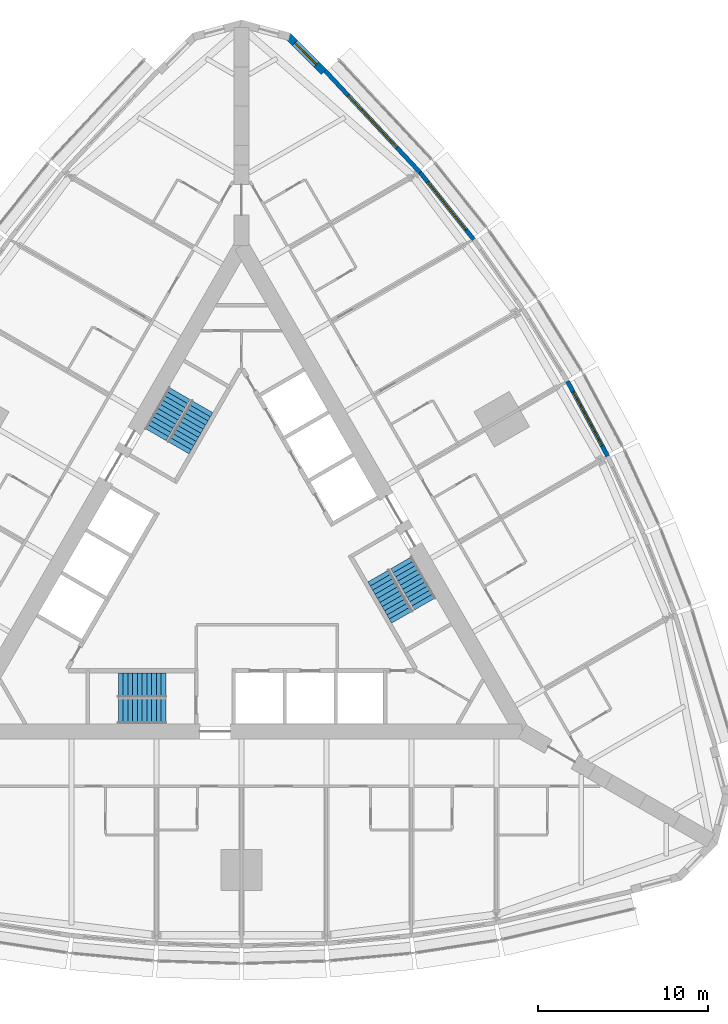
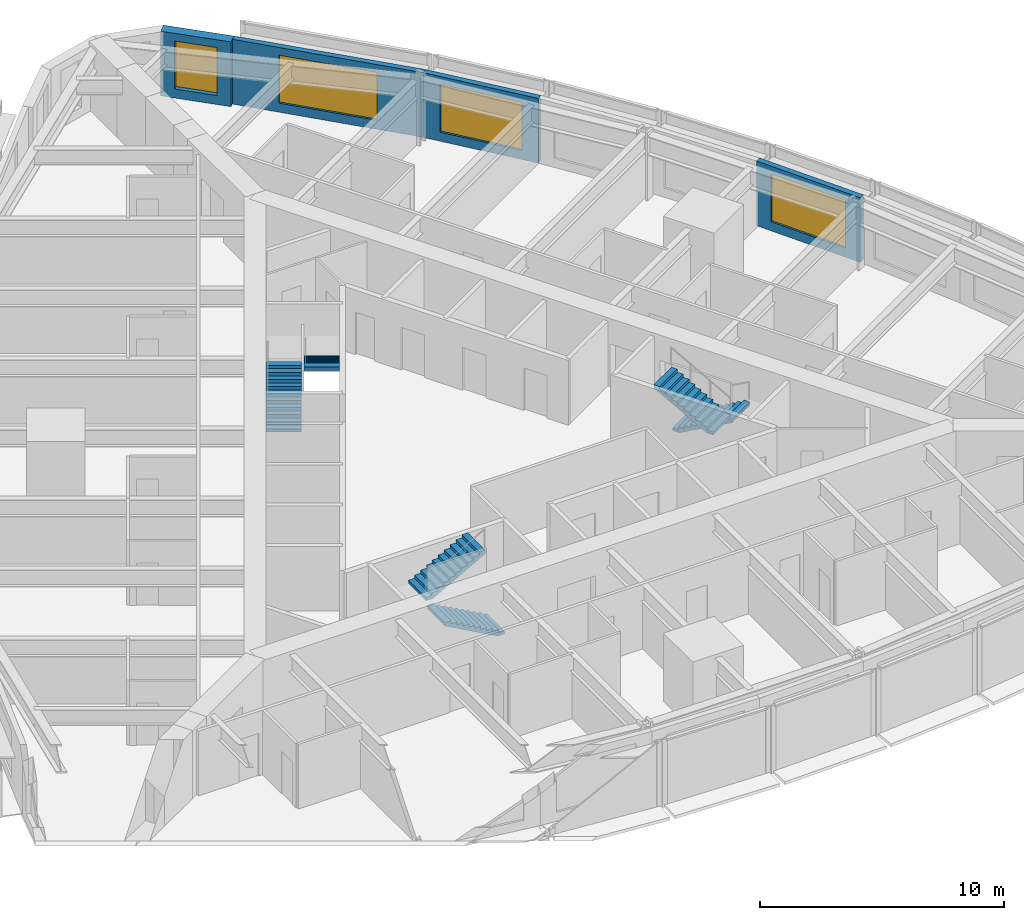
# One storey, part 13 of 14: 6 stair flights, 4 walls, 4 windows, 4 openings, 3 elements without a shape of their own.
"""IFC4 building model written with IfcOpenShell, lengths in metres."""

from ifc_helpers import new_model, si_unit, direction, frame, frame_2d, origin, place, context, subcontext, project, spatial, polyline, rectangle, outline, extrude, material, layer, layer_set, type_object, element, fill, aggregate, save


model = new_model("IFC4")

# Units and contexts
model_context = context("Model", 3, precision=1e-05, world=origin(), true_north=direction((0.0, 1.0)))
body_context = subcontext(model_context, "Body", "Model", "MODEL_VIEW")
ifc_project = project(units=[si_unit("LENGTHUNIT", "METRE"), si_unit("AREAUNIT", "SQUARE_METRE"), si_unit("VOLUMEUNIT", "CUBIC_METRE"), si_unit("PLANEANGLEUNIT", "RADIAN"), si_unit("MASSUNIT", "GRAM", prefix="KILO")], contexts=[model_context])

# Site, building, storey
site_placement = place(None, origin())
site = spatial("IfcSite", under=ifc_project, at=site_placement, CompositionType="ELEMENT")
building_placement = place(site_placement, origin())
building = spatial("IfcBuilding", under=site, at=building_placement, Name="Trikona Tower", CompositionType="ELEMENT")
storey_placement = place(building_placement, frame((0.0, 0.0, 89.699951171875)))
storey = spatial("IfcBuildingStorey", under=building, at=storey_placement, Name="L23", CompositionType="ELEMENT", Elevation=89.699951171875)

# Wall, opening, window
ifc_material_1 = material(Name="Brick-faced precast concrete", Category="masonry")
ifc_layer_1 = layer(ifc_material_1, 0.449951171875)
ifc_layer_set_1 = layer_set([ifc_layer_1], Name="Brick-faced corner wall 450")
wall_type_1 = type_object("IfcWallType", Name="Brick-faced corner wall 450", PredefinedType="SOLIDWALL", material=ifc_layer_set_1)
wall_1_placement = place(storey_placement, frame((4.8408203125, 29.285888671875, 0.0), z_axis=(0.0, 0.0, 1.0), x_axis=(-0.707106781187, 0.707106781187, 0.0)))
wall_1 = element("IfcWall", 1, at=wall_1_placement, inside=storey, type_object=wall_type_1, Name="External wall L23-20", PredefinedType="SOLIDWALL", context=body_context, shape_type="SweptSolid", body=[
    extrude(rectangle(XDim=2.98828125, YDim=0.449951171875, at=frame_2d((1.494140625, 0.0))), origin(), (0.0, 0.0, 1.0), 3.235107421875),
])
opening_1_placement = place(wall_1_placement, frame((0.59423828125, 0.0, 0.449951171875)))
opening_1 = element("IfcOpeningElement", 2, at=opening_1_placement, cuts=wall_1, Name="Opening W1824", PredefinedType="OPENING", context=body_context, shape_type="SweptSolid", body=[
    extrude(rectangle(XDim=1.800048828125, YDim=2.39990234375, at=frame_2d((0.89990234375, 1.199951171875))), frame((0.0, 0.23486328125, 0.0), z_axis=(0.0, -1.0, 0.0), x_axis=(1.0, 0.0, 0.0)), (0.0, 0.0, 1.0), 0.469970703125),
])
ifc_material_2 = material(Name="Aluminium-framed double glazing", Category="aluminium")
window_type_1 = type_object("IfcWindowType", Name="Window 1800x2400", PartitioningType="SINGLE_PANEL", PredefinedType="WINDOW", material=ifc_material_2)
window_1_placement = place(opening_1_placement, origin())
window_1 = element("IfcWindow", 3, at=window_1_placement, inside=storey, type_object=window_type_1, Name="Window 2311", OverallHeight=2.39990234375, OverallWidth=1.800048828125, PartitioningType="SINGLE_PANEL", PredefinedType="WINDOW", context=body_context, shape_type="SweptSolid", body=[
    extrude(rectangle(XDim=1.800048828125, YDim=2.39990234375, at=frame_2d((0.89990234375, 1.199951171875))), frame((0.0, 0.030029296875, 0.0), z_axis=(0.0, -1.0, 0.0), x_axis=(1.0, 0.0, 0.0)), (0.0, 0.0, 1.0), 0.06005859375),
])
fill(opening_1, window_1)

ifc_material_3 = material(Name="Insulated precast concrete spandrel panel", Category="concrete")
ifc_layer_2 = layer(ifc_material_3, 0.25)
ifc_layer_set_2 = layer_set([ifc_layer_2], Name="Inner skin wall 250")
wall_type_2 = type_object("IfcWallType", Name="Inner skin wall 250", PredefinedType="STANDARD", material=ifc_layer_set_2)
wall_2_placement = place(storey_placement, frame((21.546630859375, 6.6708984375, 0.0), z_axis=(0.0, 0.0, 1.0), x_axis=(-0.473412820489, 0.880840678782, 0.0)))
wall_2 = element("IfcWall", 4, at=wall_2_placement, inside=storey, type_object=wall_type_2, Name="External wall L23-15", PredefinedType="STANDARD", context=body_context, shape_type="SweptSolid", body=[
    extrude(rectangle(XDim=5.00244140625, YDim=0.25, at=frame_2d((2.501220703125, 0.0))), origin(), (0.0, 0.0, 1.0), 3.235107421875),
])
opening_2_placement = place(wall_2_placement, frame((0.701171875, 0.0, 0.449951171875)))
opening_2 = element("IfcOpeningElement", 5, at=opening_2_placement, cuts=wall_2, Name="Opening W3624", PredefinedType="OPENING", context=body_context, shape_type="SweptSolid", body=[
    extrude(rectangle(XDim=3.60009765625, YDim=2.39990234375, at=frame_2d((1.800048828125, 1.199951171875))), frame((0.0, 0.135009765625, 0.0), z_axis=(0.0, -1.0, 0.0), x_axis=(1.0, 0.0, 0.0)), (0.0, 0.0, 1.0), 0.27001953125),
])
ifc_material_4 = material(Name="Aluminium-framed double glazing", Category="aluminium")
window_type_2 = type_object("IfcWindowType", Name="Window 3600x2400", PartitioningType="SINGLE_PANEL", PredefinedType="WINDOW", material=ifc_material_4)
window_2_placement = place(opening_2_placement, origin())
window_2 = element("IfcWindow", 6, at=window_2_placement, inside=storey, type_object=window_type_2, Name="Window 2309", OverallHeight=2.39990234375, OverallWidth=3.60009765625, PartitioningType="SINGLE_PANEL", PredefinedType="WINDOW", context=body_context, shape_type="SweptSolid", body=[
    extrude(rectangle(XDim=3.60009765625, YDim=2.39990234375, at=frame_2d((1.800048828125, 1.199951171875))), frame((0.0, 0.030029296875, 0.0), z_axis=(0.0, -1.0, 0.0), x_axis=(1.0, 0.0, 0.0)), (0.0, 0.0, 1.0), 0.06005859375),
])
fill(opening_2, window_2)

wall_3_placement = place(storey_placement, frame((13.663818359375, 19.4140625, 0.0), z_axis=(0.0, 0.0, 1.0), x_axis=(-0.624594965756, 0.780948864364, 0.0)))
wall_3 = element("IfcWall", 7, at=wall_3_placement, inside=storey, type_object=wall_type_2, Name="External wall L23-18", PredefinedType="STANDARD", context=body_context, shape_type="SweptSolid", body=[
    extrude(rectangle(XDim=5.0576171875, YDim=0.25, at=frame_2d((2.52880859375, 0.0))), origin(), (0.0, 0.0, 1.0), 3.235107421875),
])
opening_3_placement = place(wall_3_placement, frame((0.728759765625, 0.0, 0.449951171875)))
opening_3 = element("IfcOpeningElement", 8, at=opening_3_placement, cuts=wall_3, Name="Opening W3624", PredefinedType="OPENING", context=body_context, shape_type="SweptSolid", body=[
    extrude(rectangle(XDim=3.60009765625, YDim=2.39990234375, at=frame_2d((1.800048828125, 1.199951171875))), frame((0.0, 0.135009765625, 0.0), z_axis=(0.0, -1.0, 0.0), x_axis=(1.0, 0.0, 0.0)), (0.0, 0.0, 1.0), 0.27001953125),
])
window_3_placement = place(opening_3_placement, origin())
window_3 = element("IfcWindow", 9, at=window_3_placement, inside=storey, type_object=window_type_2, Name="Window 2310.2", OverallHeight=2.39990234375, OverallWidth=3.60009765625, PartitioningType="SINGLE_PANEL", PredefinedType="WINDOW", context=body_context, shape_type="SweptSolid", body=[
    extrude(rectangle(XDim=3.60009765625, YDim=2.39990234375, at=frame_2d((1.800048828125, 1.199951171875))), frame((0.0, 0.030029296875, 0.0), z_axis=(0.0, -1.0, 0.0), x_axis=(1.0, 0.0, 0.0)), (0.0, 0.0, 1.0), 0.06005859375),
])
fill(opening_3, window_3)

wall_4_placement = place(storey_placement, frame((10.510986328125, 23.356689453125, 0.0), z_axis=(0.0, 0.0, 1.0), x_axis=(-0.682289646561, 0.731081964075, 0.0)))
wall_4 = element("IfcWall", 10, at=wall_4_placement, inside=storey, type_object=wall_type_2, Name="External wall L23-19", PredefinedType="STANDARD", context=body_context, shape_type="SweptSolid", body=[
    extrude(rectangle(XDim=8.2109375, YDim=0.25, at=frame_2d((4.10546875, 0.0))), origin(), (0.0, 0.0, 1.0), 3.235107421875),
])
opening_4_placement = place(wall_4_placement, frame((2.005615234375, 0.0, 0.449951171875)))
opening_4 = element("IfcOpeningElement", 11, at=opening_4_placement, cuts=wall_4, Name="Opening W4224", PredefinedType="OPENING", context=body_context, shape_type="SweptSolid", body=[
    extrude(rectangle(XDim=4.199951171875, YDim=2.39990234375, at=frame_2d((2.10009765625, 1.199951171875))), frame((0.0, 0.135009765625, 0.0), z_axis=(0.0, -1.0, 0.0), x_axis=(1.0, 0.0, 0.0)), (0.0, 0.0, 1.0), 0.27001953125),
])
ifc_material_5 = material(Name="Aluminium-framed double glazing", Category="aluminium")
window_type_3 = type_object("IfcWindowType", Name="Window 4200x2400", PartitioningType="SINGLE_PANEL", PredefinedType="WINDOW", material=ifc_material_5)
window_4_placement = place(opening_4_placement, origin())
window_4 = element("IfcWindow", 12, at=window_4_placement, inside=storey, type_object=window_type_3, Name="Window 2311", OverallHeight=2.39990234375, OverallWidth=4.199951171875, PartitioningType="SINGLE_PANEL", PredefinedType="WINDOW", context=body_context, shape_type="SweptSolid", body=[
    extrude(rectangle(XDim=4.199951171875, YDim=2.39990234375, at=frame_2d((2.10009765625, 1.199951171875))), frame((0.0, 0.030029296875, 0.0), z_axis=(0.0, -1.0, 0.0), x_axis=(1.0, 0.0, 0.0)), (0.0, 0.0, 1.0), 0.06005859375),
])
fill(opening_4, window_4)

# Stair, stair flights
ifc_material_6 = material(Name="Concrete f'c 5000 psi", Category="concrete")
stair_type = type_object("IfcStairType", Name="Core stair", PredefinedType="HALF_TURN_STAIR", material=ifc_material_6)
stair_1_placement = place(storey_placement, origin())
stair_1 = element("IfcStair", 13, at=stair_1_placement, inside=storey, type_object=stair_type, Name="Stair A L23", PredefinedType="HALF_TURN_STAIR")
ifc_material_7 = material(Name="Concrete f'c 5000 psi", Category="concrete")
stair_flight_type = type_object("IfcStairFlightType", Name="Core stair flight 1450", PredefinedType="STRAIGHT", material=ifc_material_7)
stair_flight_1_placement = place(storey_placement, frame((-4.449951171875, -8.351318359375, 0.0), z_axis=(0.0, 0.0, 1.0), x_axis=(-1.0, 0.0, 0.0)))
stair_flight_1 = element("IfcStairFlight", 14, at=stair_flight_1_placement, type_object=stair_flight_type, Name="ST-A flight 1", NumberOfRisers=11, NumberOfTreads=10, PredefinedType="STRAIGHT", RiserHeight=0.154545, TreadLength=0.28, context=body_context, shape_type="SweptSolid", body=[
    extrude(outline(polyline([(0.0, 0.0), (0.0, 0.154541015625), (0.280029296875, 0.154541015625), (0.280029296875, 0.30908203125), (0.56005859375, 0.30908203125), (0.56005859375, 0.463623046875), (0.840087890625, 0.463623046875), (0.840087890625, 0.6181640625), (1.1201171875, 0.6181640625), (1.1201171875, 0.772705078125), (1.39990234375, 0.772705078125), (1.39990234375, 0.92724609375), (1.679931640625, 0.92724609375), (1.679931640625, 1.081787109375), (1.9599609375, 1.081787109375), (1.9599609375, 1.236328125), (2.239990234375, 1.236328125), (2.239990234375, 1.390869140625), (2.52001953125, 1.390869140625), (2.52001953125, 1.54541015625), (2.800048828125, 1.54541015625), (2.800048828125, 1.699951171875), (2.800048828125, 1.374267578125), (0.310302734375, 0.0), (0.0, 0.0)])), frame((0.0, 0.72509765625, 0.0), z_axis=(0.0, -1.0, 0.0), x_axis=(1.0, 0.0, 0.0)), (0.0, 0.0, 1.0), 1.449951171875),
])
stair_flight_2_placement = place(storey_placement, frame((-7.25, -6.80126953125, 1.699951171875), z_axis=(0.0, 0.0, 1.0), x_axis=(1.0, 0.0, 0.0)))
stair_flight_2 = element("IfcStairFlight", 15, at=stair_flight_2_placement, type_object=stair_flight_type, Name="ST-A flight 2", NumberOfRisers=11, NumberOfTreads=10, PredefinedType="STRAIGHT", RiserHeight=0.154545, TreadLength=0.28, context=body_context, shape_type="SweptSolid", body=[
    extrude(outline(polyline([(0.0, 0.0), (0.0, 0.154541015625), (0.280029296875, 0.154541015625), (0.280029296875, 0.30908203125), (0.56005859375, 0.30908203125), (0.56005859375, 0.463623046875), (0.840087890625, 0.463623046875), (0.840087890625, 0.6181640625), (1.1201171875, 0.6181640625), (1.1201171875, 0.772705078125), (1.39990234375, 0.772705078125), (1.39990234375, 0.92724609375), (1.679931640625, 0.92724609375), (1.679931640625, 1.081787109375), (1.9599609375, 1.081787109375), (1.9599609375, 1.236328125), (2.239990234375, 1.236328125), (2.239990234375, 1.390869140625), (2.52001953125, 1.390869140625), (2.52001953125, 1.54541015625), (2.800048828125, 1.54541015625), (2.800048828125, 1.699951171875), (2.800048828125, 1.374267578125), (0.310302734375, 0.0), (0.0, 0.0)])), frame((0.0, 0.72509765625, 0.0), z_axis=(0.0, -1.0, 0.0), x_axis=(1.0, 0.0, 0.0)), (0.0, 0.0, 1.0), 1.449951171875),
])
aggregate(stair_1, [stair_flight_1, stair_flight_2])

stair_2_placement = place(storey_placement, origin())
stair_2 = element("IfcStair", 16, at=stair_2_placement, inside=storey, type_object=stair_type, Name="Stair B L23", PredefinedType="HALF_TURN_STAIR")
stair_flight_3_placement = place(storey_placement, frame((9.407470703125, 0.408447265625, 0.0), z_axis=(0.0, 0.0, 1.0), x_axis=(0.5, -0.866025403784, 0.0)))
stair_flight_3 = element("IfcStairFlight", 17, at=stair_flight_3_placement, type_object=stair_flight_type, Name="ST-B flight 1", NumberOfRisers=11, NumberOfTreads=10, PredefinedType="STRAIGHT", RiserHeight=0.154545, TreadLength=0.28, context=body_context, shape_type="SweptSolid", body=[
    extrude(outline(polyline([(0.0, 0.0), (0.0, 0.154541015625), (0.280029296875, 0.154541015625), (0.280029296875, 0.30908203125), (0.56005859375, 0.30908203125), (0.56005859375, 0.463623046875), (0.840087890625, 0.463623046875), (0.840087890625, 0.6181640625), (1.1201171875, 0.6181640625), (1.1201171875, 0.772705078125), (1.39990234375, 0.772705078125), (1.39990234375, 0.92724609375), (1.679931640625, 0.92724609375), (1.679931640625, 1.081787109375), (1.9599609375, 1.081787109375), (1.9599609375, 1.236328125), (2.239990234375, 1.236328125), (2.239990234375, 1.390869140625), (2.52001953125, 1.390869140625), (2.52001953125, 1.54541015625), (2.800048828125, 1.54541015625), (2.800048828125, 1.699951171875), (2.800048828125, 1.374267578125), (0.310302734375, 0.0), (0.0, 0.0)])), frame((0.0, 0.72509765625, 0.0), z_axis=(0.0, -1.0, 0.0), x_axis=(1.0, 0.0, 0.0)), (0.0, 0.0, 1.0), 1.449951171875),
])
stair_flight_4_placement = place(storey_placement, frame((9.465087890625, -2.79150390625, 1.699951171875), z_axis=(0.0, 0.0, 1.0), x_axis=(-0.5, 0.866025403784, 0.0)))
stair_flight_4 = element("IfcStairFlight", 18, at=stair_flight_4_placement, type_object=stair_flight_type, Name="ST-B flight 2", NumberOfRisers=11, NumberOfTreads=10, PredefinedType="STRAIGHT", RiserHeight=0.154545, TreadLength=0.28, context=body_context, shape_type="SweptSolid", body=[
    extrude(outline(polyline([(0.0, 0.0), (0.0, 0.154541015625), (0.280029296875, 0.154541015625), (0.280029296875, 0.30908203125), (0.56005859375, 0.30908203125), (0.56005859375, 0.463623046875), (0.840087890625, 0.463623046875), (0.840087890625, 0.6181640625), (1.1201171875, 0.6181640625), (1.1201171875, 0.772705078125), (1.39990234375, 0.772705078125), (1.39990234375, 0.92724609375), (1.679931640625, 0.92724609375), (1.679931640625, 1.081787109375), (1.9599609375, 1.081787109375), (1.9599609375, 1.236328125), (2.239990234375, 1.236328125), (2.239990234375, 1.390869140625), (2.52001953125, 1.390869140625), (2.52001953125, 1.54541015625), (2.800048828125, 1.54541015625), (2.800048828125, 1.699951171875), (2.800048828125, 1.374267578125), (0.310302734375, 0.0), (0.0, 0.0)])), frame((0.0, 0.72509765625, 0.0), z_axis=(0.0, -1.0, 0.0), x_axis=(1.0, 0.0, 0.0)), (0.0, 0.0, 1.0), 1.449951171875),
])
aggregate(stair_2, [stair_flight_3, stair_flight_4])

stair_3_placement = place(storey_placement, origin())
stair_3 = element("IfcStair", 19, at=stair_3_placement, inside=storey, type_object=stair_type, Name="Stair C L23", PredefinedType="HALF_TURN_STAIR")
stair_flight_5_placement = place(storey_placement, frame((-5.057373046875, 7.94287109375, 0.0), z_axis=(0.0, 0.0, 1.0), x_axis=(0.5, 0.866025403784, 0.0)))
stair_flight_5 = element("IfcStairFlight", 20, at=stair_flight_5_placement, type_object=stair_flight_type, Name="ST-C flight 1", NumberOfRisers=11, NumberOfTreads=10, PredefinedType="STRAIGHT", RiserHeight=0.154545, TreadLength=0.28, context=body_context, shape_type="SweptSolid", body=[
    extrude(outline(polyline([(0.0, 0.0), (0.0, 0.154541015625), (0.280029296875, 0.154541015625), (0.280029296875, 0.30908203125), (0.56005859375, 0.30908203125), (0.56005859375, 0.463623046875), (0.840087890625, 0.463623046875), (0.840087890625, 0.6181640625), (1.1201171875, 0.6181640625), (1.1201171875, 0.772705078125), (1.39990234375, 0.772705078125), (1.39990234375, 0.92724609375), (1.679931640625, 0.92724609375), (1.679931640625, 1.081787109375), (1.9599609375, 1.081787109375), (1.9599609375, 1.236328125), (2.239990234375, 1.236328125), (2.239990234375, 1.390869140625), (2.52001953125, 1.390869140625), (2.52001953125, 1.54541015625), (2.800048828125, 1.54541015625), (2.800048828125, 1.699951171875), (2.800048828125, 1.374267578125), (0.310302734375, 0.0), (0.0, 0.0)])), frame((0.0, 0.72509765625, 0.0), z_axis=(0.0, -1.0, 0.0), x_axis=(1.0, 0.0, 0.0)), (0.0, 0.0, 1.0), 1.449951171875),
])
stair_flight_6_placement = place(storey_placement, frame((-2.315185546875, 9.5927734375, 1.699951171875), z_axis=(0.0, 0.0, 1.0), x_axis=(-0.5, -0.866025403784, 0.0)))
stair_flight_6 = element("IfcStairFlight", 21, at=stair_flight_6_placement, type_object=stair_flight_type, Name="ST-C flight 2", NumberOfRisers=11, NumberOfTreads=10, PredefinedType="STRAIGHT", RiserHeight=0.154545, TreadLength=0.28, context=body_context, shape_type="SweptSolid", body=[
    extrude(outline(polyline([(0.0, 0.0), (0.0, 0.154541015625), (0.280029296875, 0.154541015625), (0.280029296875, 0.30908203125), (0.56005859375, 0.30908203125), (0.56005859375, 0.463623046875), (0.840087890625, 0.463623046875), (0.840087890625, 0.6181640625), (1.1201171875, 0.6181640625), (1.1201171875, 0.772705078125), (1.39990234375, 0.772705078125), (1.39990234375, 0.92724609375), (1.679931640625, 0.92724609375), (1.679931640625, 1.081787109375), (1.9599609375, 1.081787109375), (1.9599609375, 1.236328125), (2.239990234375, 1.236328125), (2.239990234375, 1.390869140625), (2.52001953125, 1.390869140625), (2.52001953125, 1.54541015625), (2.800048828125, 1.54541015625), (2.800048828125, 1.699951171875), (2.800048828125, 1.374267578125), (0.310302734375, 0.0), (0.0, 0.0)])), frame((0.0, 0.72509765625, 0.0), z_axis=(0.0, -1.0, 0.0), x_axis=(1.0, 0.0, 0.0)), (0.0, 0.0, 1.0), 1.449951171875),
])
aggregate(stair_3, [stair_flight_5, stair_flight_6])

save(model, "model.ifc")
